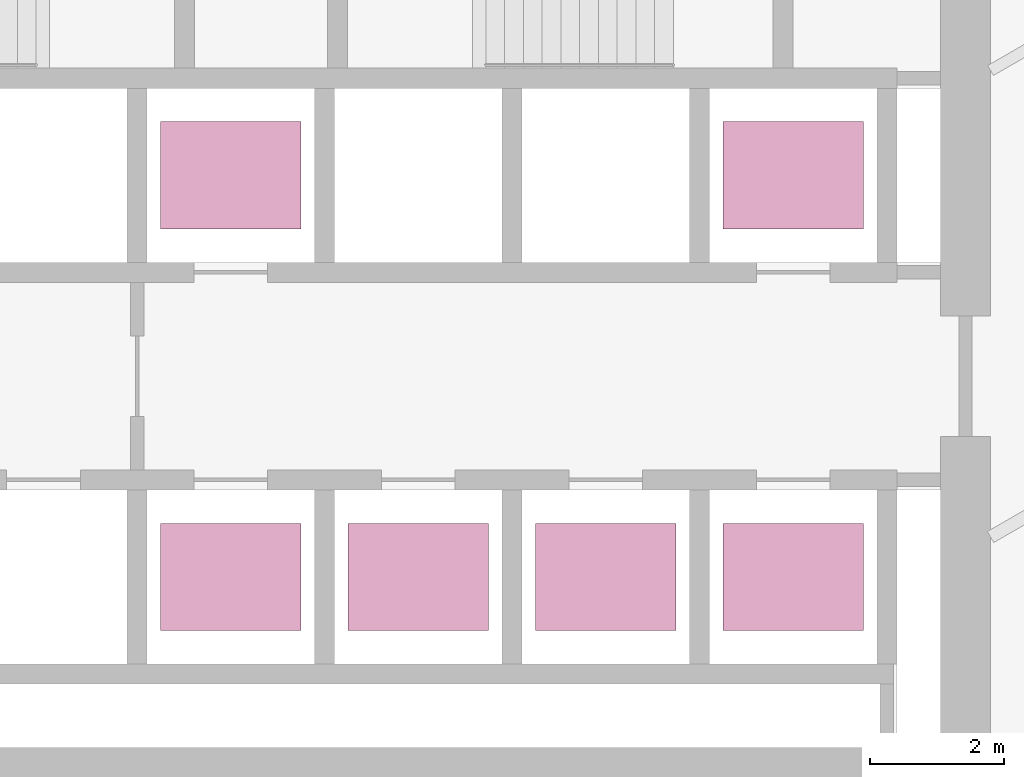
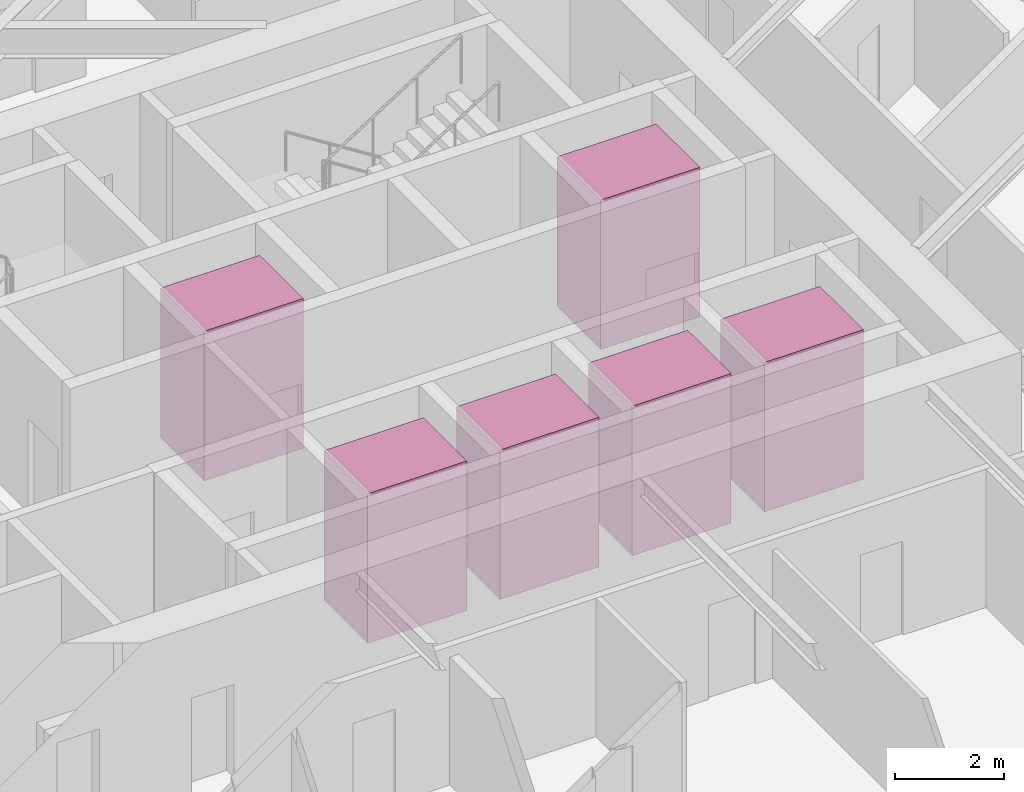
# One storey, part 34 of 35: 6 transport elements.
"""IFC4 building model written with IfcOpenShell, lengths in metres."""

import ifcopenshell
import ifcopenshell.guid

model = None  # the IFC model being written
_history = None  # IfcOwnerHistory: only IFC2X3 demands one
_inside = {}  # id of a spatial element -> (the spatial element, [elements in it])
_under = {}  # id of a project, library or spatial element -> (it, [spatial elements below it])
_declared = {}  # id of a project -> (the project, [libraries it declares])
_typed = {}  # id of a type object -> (the type object, [elements of that type])
_made_of = {}  # id of a material, layer set ... -> (it, [elements and type objects made of it])


def new_model(schema):
    """Start an empty IFC model of exactly this schema.

    Asked for "IFC4X3", IfcOpenShell would pick the latest addendum, in which some entities
    have other attributes; the version numbers below select the first issue.
    IFC2X3 requires an IfcOwnerHistory on every rooted entity: one is made here for all.
    """
    global model, _history
    if schema == "IFC4X3":
        model = ifcopenshell.file(schema_version=(4, 3, 0, 0))
    else:
        model = ifcopenshell.file(schema=schema)
    _inside.clear()
    _under.clear()
    _declared.clear()
    _typed.clear()
    _made_of.clear()
    _history = None
    if model.schema == "IFC2X3":
        org = make("IfcOrganization", Name="unknown")
        user = make(
            "IfcPersonAndOrganization",
            ThePerson=make("IfcPerson", FamilyName="unknown"),
            TheOrganization=org,
        )
        app = make(
            "IfcApplication",
            ApplicationDeveloper=org,
            Version="unknown",
            ApplicationFullName="unknown",
            ApplicationIdentifier="unknown",
        )
        _history = make(
            "IfcOwnerHistory",
            OwningUser=user,
            OwningApplication=app,
            ChangeAction="ADDED",
            CreationDate=0,
        )
    return model


def make(cls, **values):
    """One entity of the class cls with the attributes given. An attribute that is None is left unset."""
    return model.create_entity(
        cls, **{name: value for name, value in values.items() if value is not None}
    )


def rooted(cls, **values):
    """An entity with a GlobalId (a new one), such as an element, a storey or a relation."""
    return make(cls, GlobalId=ifcopenshell.guid.new(), OwnerHistory=_history, **values)


def si_unit(unit_type, name, prefix=None):
    """IfcSIUnit, for example si_unit("LENGTHUNIT", "METRE", prefix="MILLI")."""
    return make("IfcSIUnit", UnitType=unit_type, Prefix=prefix, Name=name)


def assignment(units):
    """IfcUnitAssignment: the units of a project."""
    return None if units is None else make("IfcUnitAssignment", Units=units)


def point(xyz):
    """IfcCartesianPoint."""
    return None if xyz is None else make("IfcCartesianPoint", Coordinates=xyz)


def direction(xyz):
    """IfcDirection."""
    return None if xyz is None else make("IfcDirection", DirectionRatios=xyz)


def frame(location, z_axis=None, x_axis=None):
    """IfcAxis2Placement3D, a coordinate frame: its origin and axes. An axis left out is left unset."""
    return make(
        "IfcAxis2Placement3D",
        Location=point(location),
        Axis=direction(z_axis),
        RefDirection=direction(x_axis),
    )


def frame_2d(location, x_axis=None):
    """IfcAxis2Placement2D, a coordinate frame in the plane: its origin and x axis."""
    return make(
        "IfcAxis2Placement2D", Location=point(location), RefDirection=direction(x_axis)
    )


def origin():
    """The frame at (0, 0, 0) with its axes left unset."""
    return frame((0.0, 0.0, 0.0))


def origin_2d():
    """The frame at (0, 0) in the plane with its x axis left unset."""
    return frame_2d((0.0, 0.0))


def place(relative_to, where):
    """IfcLocalPlacement: puts the frame where relative to a parent placement (None: the world)."""
    return make(
        "IfcLocalPlacement", PlacementRelTo=relative_to, RelativePlacement=where
    )


def context(
    kind, dimensions, precision=None, world=None, true_north=None, identifier=None
):
    """IfcGeometricRepresentationContext, for example the 3D "Model" context."""
    return make(
        "IfcGeometricRepresentationContext",
        ContextIdentifier=identifier,
        ContextType=kind,
        CoordinateSpaceDimension=dimensions,
        Precision=precision,
        WorldCoordinateSystem=world,
        TrueNorth=true_north,
    )


def subcontext(parent, identifier, kind, view, scale=None):
    """IfcGeometricRepresentationSubContext, for example "Body" below "Model"."""
    return make(
        "IfcGeometricRepresentationSubContext",
        ContextIdentifier=identifier,
        ContextType=kind,
        ParentContext=parent,
        TargetScale=scale,
        TargetView=view,
    )


def project(units=None, contexts=None):
    """IfcProject with its units and contexts."""
    return rooted(
        "IfcProject",
        Name="project",
        RepresentationContexts=contexts,
        UnitsInContext=assignment(units),
    )


def spatial(cls, under=None, at=None, **own):
    """A site, building, storey or space (cls), placed at a placement, below another one or the project."""
    s = rooted(cls, ObjectPlacement=at, **own)
    if under is not None:
        _under.setdefault(under.id(), (under, []))[1].append(s)
    return s


def profile(cls, at=None, kind="AREA", **sizes):
    """A parametric profile (cls). Its sizes go by their IFC names, for example OverallWidth=200.0."""
    return make(cls, ProfileType=kind, Position=at, **sizes)


def rectangle(**sizes):
    """IfcRectangleProfileDef."""
    return profile("IfcRectangleProfileDef", **sizes)


def extrude(swept, where, along, depth):
    """IfcExtrudedAreaSolid: the profile swept, set in the frame where, extruded along a direction by depth."""
    return make(
        "IfcExtrudedAreaSolid",
        SweptArea=swept,
        Position=where,
        ExtrudedDirection=direction(along),
        Depth=depth,
    )


def shape(context_of_items, identifier, shape_type, items):
    """IfcShapeRepresentation: the items that make up one representation, for example the "Body"."""
    return make(
        "IfcShapeRepresentation",
        ContextOfItems=context_of_items,
        RepresentationIdentifier=identifier,
        RepresentationType=shape_type,
        Items=items,
    )


def material(Name=None, Category=None):
    """IfcMaterial."""
    return make("IfcMaterial", Name=Name, Category=Category)


def made_of(thing, what):
    """Note that an element or type object is made of a material, layer set ...; save() writes the relation."""
    if what is not None:
        _made_of.setdefault(what.id(), (what, []))[1].append(thing)
    return thing


def type_object(cls, material=None, **own):
    """A type object (cls), such as IfcWallType, which elements share."""
    return made_of(rooted(cls, **own), material)


def element(
    cls,
    number,
    at=None,
    inside=None,
    cuts=None,
    type_object=None,
    material=None,
    context=None,
    identifier="Body",
    shape_type=None,
    held_by="IfcProductDefinitionShape",
    body=None,
    shapes=None,
    **own,
):
    """One element of the class cls, such as IfcWall. Its Tag is "e" and its number.

    at: its placement. inside: the storey or other place that contains it. cuts: it is an
    opening in that element (IfcRelVoidsElement). A single representation is given by context,
    identifier, shape_type and body (its items); several are given by shapes. held_by: the class
    of the entity that holds the representations. save() writes the other relations.
    """
    e = rooted(cls, Tag="e%d" % number, ObjectPlacement=at, **own)
    if body is not None:
        shapes = [shape(context, identifier, shape_type, body)]
    if shapes is not None:
        e.Representation = make(held_by, Representations=shapes)
    if inside is not None:
        _inside.setdefault(inside.id(), (inside, []))[1].append(e)
    if cuts is not None:
        rooted(
            "IfcRelVoidsElement", RelatingBuildingElement=cuts, RelatedOpeningElement=e
        )
    if type_object is not None:
        _typed.setdefault(type_object.id(), (type_object, []))[1].append(e)
    return made_of(e, material)


def aggregate(whole, parts):
    """IfcRelAggregates: a whole, such as a stair, and the parts it consists of."""
    return rooted("IfcRelAggregates", RelatingObject=whole, RelatedObjects=parts)


def save(model, path):
    """Write the relations noted so far, then the file.

    IfcRelAggregates (storeys below a building ...), IfcRelContainedInSpatialStructure (elements
    in a storey), IfcRelDefinesByType, IfcRelAssociatesMaterial and IfcRelDeclares: one each for
    every whole, place, type object, material and project.
    """
    for whole, parts in _under.values():
        aggregate(whole, parts)
    for where, things in _inside.values():
        rooted(
            "IfcRelContainedInSpatialStructure",
            RelatedElements=things,
            RelatingStructure=where,
        )
    for kind, things in _typed.values():
        rooted("IfcRelDefinesByType", RelatedObjects=things, RelatingType=kind)
    for what, things in _made_of.values():
        rooted("IfcRelAssociatesMaterial", RelatedObjects=things, RelatingMaterial=what)
    for by, libraries in _declared.values():
        rooted("IfcRelDeclares", RelatingContext=by, RelatedDefinitions=libraries)
    model.write(path)


model = new_model("IFC4")

# Units and contexts
model_context = context("Model", 3, precision=1e-05, world=origin(), true_north=direction((0.0, 1.0)))
body_context = subcontext(model_context, "Body", "Model", "MODEL_VIEW")
ifc_project = project(units=[si_unit("LENGTHUNIT", "METRE"), si_unit("AREAUNIT", "SQUARE_METRE"), si_unit("VOLUMEUNIT", "CUBIC_METRE"), si_unit("PLANEANGLEUNIT", "RADIAN"), si_unit("MASSUNIT", "GRAM", prefix="KILO")], contexts=[model_context])

# Site, building, storey
site_placement = place(None, origin())
site = spatial("IfcSite", under=ifc_project, at=site_placement, CompositionType="ELEMENT")
building_placement = place(site_placement, origin())
building = spatial("IfcBuilding", under=site, at=building_placement, Name="Firuza Gate Tower and Library", CompositionType="ELEMENT")
storey_placement = place(building_placement, frame((0.0, 0.0, 159.699951171875)))
storey = spatial("IfcBuildingStorey", under=building, at=storey_placement, Name="L36", CompositionType="ELEMENT", Elevation=159.699951171875)

# Transport elements
ifc_material = material(Name="Stainless steel and glass", Category="steel")
transport_element_type = type_object("IfcTransportElementType", Name="Mid-rise lift car 2100x1600", PredefinedType="ELEVATOR", material=ifc_material)
for number, where, z_axis, x_axis, name in (
    (1, (74.64990234375, 70.300048828125, 0.0), (0.0, 0.0, 1.0), (1.0, 0.0, 0.0), "Mid-rise lift MR1"),
    (2, (77.449951171875, 70.300048828125, 0.0), (0.0, 0.0, 1.0), (1.0, 0.0, 0.0), "Mid-rise lift MR2"),
    (3, (80.25, 70.300048828125, 0.0), (0.0, 0.0, 1.0), (1.0, 0.0, 0.0), "Mid-rise lift MR3"),
    (4, (74.64990234375, 76.300048828125, 0.0), (0.0, 0.0, 1.0), (1.0, 0.0, 0.0), "Mid-rise lift MR4"),
    (5, (83.050048828125, 70.300048828125, 0.0), (0.0, 0.0, 1.0), (1.0, 0.0, 0.0), "Mid-rise lift MR5"),
    (6, (83.050048828125, 76.300048828125, 0.0), (0.0, 0.0, 1.0), (1.0, 0.0, 0.0), "Mid-rise lift MR6"),
):
    element("IfcTransportElement", number, at=place(storey_placement, frame(where, z_axis=z_axis, x_axis=x_axis)), inside=storey, type_object=transport_element_type, Name=name, PredefinedType="ELEVATOR", context=body_context, shape_type="SweptSolid", body=[
        extrude(rectangle(XDim=2.10009765625, YDim=1.60009765625, at=origin_2d()), origin(), (0.0, 0.0, 1.0), 3.35009765625),
    ])

save(model, "model.ifc")
